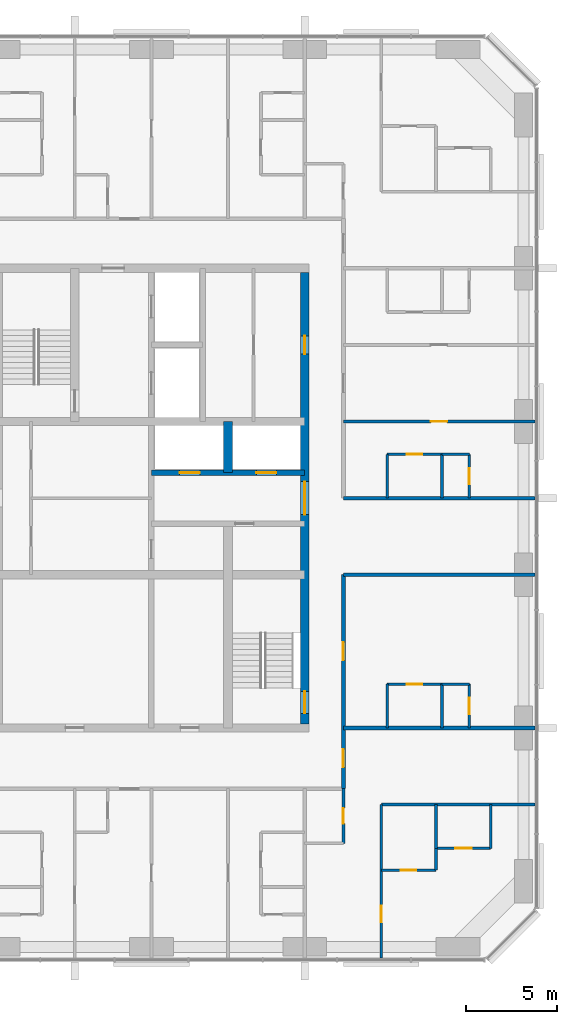
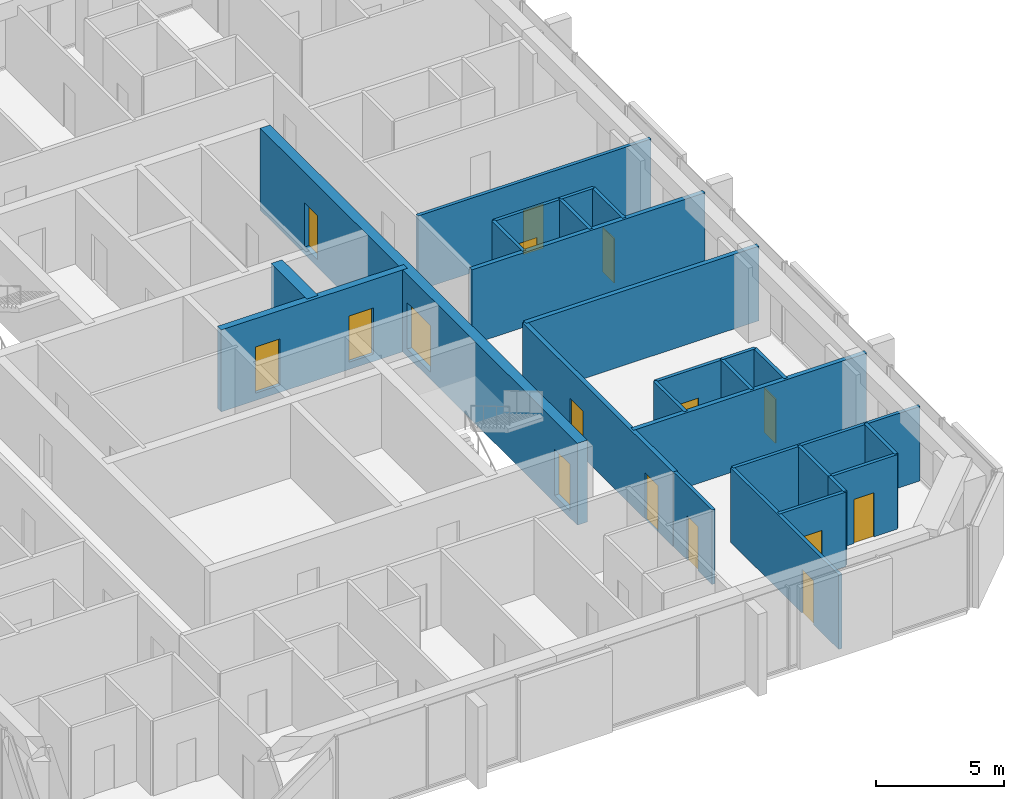
# One storey, part 9 of 13: 26 walls, 16 doors, 16 openings.
"""IFC4 building model written with IfcOpenShell, lengths in metres."""

from ifc_helpers import new_model, si_unit, direction, frame, frame_2d, origin, place, context, subcontext, project, spatial, rectangle, extrude, material, layer, layer_set, type_object, element, fill, save


model = new_model("IFC4")

# Units and contexts
model_context = context("Model", 3, precision=1e-05, world=origin(), true_north=direction((0.0, 1.0)))
body_context = subcontext(model_context, "Body", "Model", "MODEL_VIEW")
ifc_project = project(units=[si_unit("LENGTHUNIT", "METRE"), si_unit("AREAUNIT", "SQUARE_METRE"), si_unit("VOLUMEUNIT", "CUBIC_METRE"), si_unit("PLANEANGLEUNIT", "RADIAN"), si_unit("MASSUNIT", "GRAM", prefix="KILO")], contexts=[model_context])

# Site, building, storey
site_placement = place(None, origin())
site = spatial("IfcSite", under=ifc_project, at=site_placement, CompositionType="ELEMENT")
building_placement = place(site_placement, origin())
building = spatial("IfcBuilding", under=site, at=building_placement, Name="Dunama Terrace Hotel", CompositionType="ELEMENT")
storey_placement = place(building_placement, frame((0.0, 0.0, 276.300048828125)))
storey = spatial("IfcBuildingStorey", under=building, at=storey_placement, Name="L71", CompositionType="ELEMENT", Elevation=276.300048828125)

# Wall, opening, door
ifc_material_1 = material(Name="Gypsum board partition", Category="masonry")
ifc_layer_1 = layer(ifc_material_1, 0.14990234375)
ifc_layer_set_1 = layer_set([ifc_layer_1], Name="Bathroom partition 150")
wall_type_1 = type_object("IfcWallType", Name="Bathroom partition 150", PredefinedType="PARTITIONING", material=ifc_layer_set_1)
wall_1_placement = place(storey_placement, frame((44.125, 10.47509765625, 0.0), z_axis=(0.0, 0.0, 1.0), x_axis=(0.0, 1.0, 0.0)))
wall_1 = element("IfcWall", 1, at=wall_1_placement, inside=storey, type_object=wall_type_1, Name="Bathroom partition 150 L71", PredefinedType="PARTITIONING", context=body_context, shape_type="SweptSolid", body=[
    extrude(rectangle(XDim=3.0, YDim=0.14990234375, at=frame_2d((1.5, 0.0))), origin(), (0.0, 0.0, 1.0), 3.550048828125),
])
opening_1_placement = place(wall_1_placement, frame((1.074951171875, 0.0, 0.0)))
opening_1 = element("IfcOpeningElement", 2, at=opening_1_placement, cuts=wall_1, Name="Opening L71-72-053", PredefinedType="OPENING", context=body_context, shape_type="SweptSolid", body=[
    extrude(rectangle(XDim=0.85009765625, YDim=2.10009765625, at=frame_2d((0.425048828125, 1.050048828125))), frame((0.0, 0.0849609375, 0.0), z_axis=(0.0, -1.0, 0.0), x_axis=(1.0, 0.0, 0.0)), (0.0, 0.0, 1.0), 0.169921875),
])
ifc_material_2 = material(Name="Timber door with steel frame", Category="steel")
door_type_1 = type_object("IfcDoorType", Name="Bathroom door 850", OperationType="SINGLE_SWING_LEFT", PredefinedType="DOOR", material=ifc_material_2)
door_1_placement = place(opening_1_placement, origin())
door_1 = element("IfcDoor", 3, at=door_1_placement, inside=storey, type_object=door_type_1, Name="Door to powder room L71-72-053, type D2", OperationType="SINGLE_SWING_RIGHT", OverallHeight=2.10009765625, OverallWidth=0.85009765625, PredefinedType="DOOR", context=body_context, shape_type="SweptSolid", body=[
    extrude(rectangle(XDim=0.85009765625, YDim=2.10009765625, at=frame_2d((0.425048828125, 1.050048828125))), frame((0.0, 0.02490234375, 0.0), z_axis=(0.0, -1.0, 0.0), x_axis=(1.0, 0.0, 0.0)), (0.0, 0.0, 1.0), 0.050048828125),
])
fill(opening_1, door_1)

# Walls
wall_2_placement = place(storey_placement, frame((46.52490234375, 16.800048828125, 0.0), z_axis=(0.0, 0.0, 1.0), x_axis=(0.0, 1.0, 0.0)))
element("IfcWall", 4, at=wall_2_placement, inside=storey, type_object=wall_type_1, Name="Bathroom partition 150 L71", PredefinedType="PARTITIONING", context=body_context, shape_type="SweptSolid", body=[
    extrude(rectangle(XDim=2.39990234375, YDim=0.14990234375, at=frame_2d((1.199951171875, 0.0))), origin(), (0.0, 0.0, 1.0), 3.550048828125),
])
wall_3_placement = place(storey_placement, frame((46.52490234375, 29.39990234375, 0.0), z_axis=(0.0, 0.0, 1.0), x_axis=(0.0, 1.0, 0.0)))
element("IfcWall", 5, at=wall_3_placement, inside=storey, type_object=wall_type_1, Name="Bathroom partition 150 L71", PredefinedType="PARTITIONING", context=body_context, shape_type="SweptSolid", body=[
    extrude(rectangle(XDim=2.400146484375, YDim=0.14990234375, at=frame_2d((1.2001953125, 0.0))), origin(), (0.0, 0.0, 1.0), 3.550048828125),
])
wall_4_placement = place(storey_placement, frame((49.199951171875, 9.0, 0.0), z_axis=(0.0, 0.0, 1.0), x_axis=(0.0, 1.0, 0.0)))
element("IfcWall", 6, at=wall_4_placement, inside=storey, type_object=wall_type_1, Name="Bathroom partition 150 L71", PredefinedType="PARTITIONING", context=body_context, shape_type="SweptSolid", body=[
    extrude(rectangle(XDim=1.199951171875, YDim=0.14990234375, at=frame_2d((0.60009765625, 0.0))), origin(), (0.0, 0.0, 1.0), 3.550048828125),
])

# Wall, opening, door
wall_5_placement = place(storey_placement, frame((46.199951171875, 9.0, 0.0), z_axis=(0.0, 0.0, 1.0), x_axis=(1.0, 0.0, 0.0)))
wall_5 = element("IfcWall", 7, at=wall_5_placement, inside=storey, type_object=wall_type_1, Name="Bathroom partition 150 L71", PredefinedType="PARTITIONING", context=body_context, shape_type="SweptSolid", body=[
    extrude(rectangle(XDim=3.0, YDim=0.14990234375, at=frame_2d((1.5, 0.0))), origin(), (0.0, 0.0, 1.0), 3.550048828125),
])
opening_2_placement = place(wall_5_placement, frame((1.074951171875, 0.0, 0.0)))
opening_2 = element("IfcOpeningElement", 8, at=opening_2_placement, cuts=wall_5, Name="Opening L71-72-055", PredefinedType="OPENING", context=body_context, shape_type="SweptSolid", body=[
    extrude(rectangle(XDim=0.85009765625, YDim=2.10009765625, at=frame_2d((0.425048828125, 1.050048828125))), frame((0.0, 0.0849609375, 0.0), z_axis=(0.0, -1.0, 0.0), x_axis=(1.0, 0.0, 0.0)), (0.0, 0.0, 1.0), 0.169921875),
])
door_2_placement = place(opening_2_placement, origin())
door_2 = element("IfcDoor", 9, at=door_2_placement, inside=storey, type_object=door_type_1, Name="Door to en-suite bathroom L71-72-055, type D2", OperationType="SINGLE_SWING_RIGHT", OverallHeight=2.10009765625, OverallWidth=0.85009765625, PredefinedType="DOOR", context=body_context, shape_type="SweptSolid", body=[
    extrude(rectangle(XDim=0.85009765625, YDim=2.10009765625, at=frame_2d((0.425048828125, 1.050048828125))), frame((0.0, 0.02490234375, 0.0), z_axis=(0.0, -1.0, 0.0), x_axis=(1.0, 0.0, 0.0)), (0.0, 0.0, 1.0), 0.050048828125),
])
fill(opening_2, door_2)

wall_6_placement = place(storey_placement, frame((46.52490234375, 19.199951171875, 0.0), z_axis=(0.0, 0.0, 1.0), x_axis=(1.0, 0.0, 0.0)))
wall_6 = element("IfcWall", 10, at=wall_6_placement, inside=storey, type_object=wall_type_1, Name="Bathroom partition 150 L71", PredefinedType="PARTITIONING", context=body_context, shape_type="SweptSolid", body=[
    extrude(rectangle(XDim=3.0, YDim=0.14990234375, at=frame_2d((1.5, 0.0))), origin(), (0.0, 0.0, 1.0), 3.550048828125),
])
opening_3_placement = place(wall_6_placement, frame((1.074951171875, 0.0, 0.0)))
opening_3 = element("IfcOpeningElement", 11, at=opening_3_placement, cuts=wall_6, Name="Opening L71-72-017", PredefinedType="OPENING", context=body_context, shape_type="SweptSolid", body=[
    extrude(rectangle(XDim=0.85009765625, YDim=2.10009765625, at=frame_2d((0.425048828125, 1.050048828125))), frame((0.0, 0.0849609375, 0.0), z_axis=(0.0, -1.0, 0.0), x_axis=(1.0, 0.0, 0.0)), (0.0, 0.0, 1.0), 0.169921875),
])
door_3_placement = place(opening_3_placement, frame((0.85009765625, 0.0, 0.0), z_axis=(0.0, 0.0, 1.0), x_axis=(-1.0, 0.0, 0.0)))
door_3 = element("IfcDoor", 12, at=door_3_placement, inside=storey, type_object=door_type_1, Name="Door to en-suite bathroom L71-72-017, type D2", OperationType="SINGLE_SWING_LEFT", OverallHeight=2.10009765625, OverallWidth=0.85009765625, PredefinedType="DOOR", context=body_context, shape_type="SweptSolid", body=[
    extrude(rectangle(XDim=0.85009765625, YDim=2.10009765625, at=frame_2d((0.425048828125, 1.050048828125))), frame((0.0, 0.025146484375, 0.0), z_axis=(0.0, -1.0, 0.0), x_axis=(1.0, 0.0, 0.0)), (0.0, 0.0, 1.0), 0.050048828125),
])
fill(opening_3, door_3)

wall_7_placement = place(storey_placement, frame((46.52490234375, 31.800048828125, 0.0), z_axis=(0.0, 0.0, 1.0), x_axis=(1.0, 0.0, 0.0)))
wall_7 = element("IfcWall", 13, at=wall_7_placement, inside=storey, type_object=wall_type_1, Name="Bathroom partition 150 L71", PredefinedType="PARTITIONING", context=body_context, shape_type="SweptSolid", body=[
    extrude(rectangle(XDim=3.0, YDim=0.14990234375, at=frame_2d((1.5, 0.0))), origin(), (0.0, 0.0, 1.0), 3.550048828125),
])
opening_4_placement = place(wall_7_placement, frame((1.074951171875, 0.0, 0.0)))
opening_4 = element("IfcOpeningElement", 14, at=opening_4_placement, cuts=wall_7, Name="Opening L71-72-021", PredefinedType="OPENING", context=body_context, shape_type="SweptSolid", body=[
    extrude(rectangle(XDim=0.85009765625, YDim=2.10009765625, at=frame_2d((0.425048828125, 1.050048828125))), frame((0.0, 0.0849609375, 0.0), z_axis=(0.0, -1.0, 0.0), x_axis=(1.0, 0.0, 0.0)), (0.0, 0.0, 1.0), 0.169921875),
])
door_4_placement = place(opening_4_placement, frame((0.85009765625, 0.0, 0.0), z_axis=(0.0, 0.0, 1.0), x_axis=(-1.0, 0.0, 0.0)))
door_4 = element("IfcDoor", 15, at=door_4_placement, inside=storey, type_object=door_type_1, Name="Door to en-suite bathroom L71-72-021, type D2", OperationType="SINGLE_SWING_LEFT", OverallHeight=2.10009765625, OverallWidth=0.85009765625, PredefinedType="DOOR", context=body_context, shape_type="SweptSolid", body=[
    extrude(rectangle(XDim=0.85009765625, YDim=2.10009765625, at=frame_2d((0.425048828125, 1.050048828125))), frame((0.0, 0.025146484375, 0.0), z_axis=(0.0, -1.0, 0.0), x_axis=(1.0, 0.0, 0.0)), (0.0, 0.0, 1.0), 0.050048828125),
])
fill(opening_4, door_4)

# Wall, openings, doors
ifc_material_3 = material(Name="Concrete C50/60", Category="concrete")
ifc_layer_2 = layer(ifc_material_3, 0.300048828125)
ifc_layer_set_2 = layer_set([ifc_layer_2], Name="Core inner wall 300")
wall_type_2 = type_object("IfcWallType", Name="Core inner wall 300", PredefinedType="SHEAR", material=ifc_layer_set_2)
wall_8_placement = place(storey_placement, frame((33.60009765625, 30.800048828125, -0.35009765625), z_axis=(0.0, 0.0, 1.0), x_axis=(1.0, 0.0, 0.0)))
wall_8 = element("IfcWall", 16, at=wall_8_placement, inside=storey, type_object=wall_type_2, Name="Core inner wall 300 L71", PredefinedType="SHEAR", context=body_context, shape_type="SweptSolid", body=[
    extrude(rectangle(XDim=8.39990234375, YDim=0.300048828125, at=frame_2d((4.199951171875, 0.0))), origin(), (0.0, 0.0, 1.0), 3.900146484375),
])
opening_5_placement = place(wall_8_placement, frame((1.550048828125, 0.0, 0.35009765625)))
opening_5 = element("IfcOpeningElement", 17, at=opening_5_placement, cuts=wall_8, Name="Opening L71-72-003", PredefinedType="OPENING", context=body_context, shape_type="SweptSolid", body=[
    extrude(rectangle(XDim=1.10009765625, YDim=2.199951171875, at=frame_2d((0.550048828125, 1.10009765625))), frame((0.0, 0.159912109375, 0.0), z_axis=(0.0, -1.0, 0.0), x_axis=(1.0, 0.0, 0.0)), (0.0, 0.0, 1.0), 0.320068359375),
])
opening_6_placement = place(wall_8_placement, frame((5.75, 0.0, 0.35009765625)))
opening_6 = element("IfcOpeningElement", 18, at=opening_6_placement, cuts=wall_8, Name="Opening L71-72-004", PredefinedType="OPENING", context=body_context, shape_type="SweptSolid", body=[
    extrude(rectangle(XDim=1.10009765625, YDim=2.199951171875, at=frame_2d((0.550048828125, 1.10009765625))), frame((0.0, 0.159912109375, 0.0), z_axis=(0.0, -1.0, 0.0), x_axis=(1.0, 0.0, 0.0)), (0.0, 0.0, 1.0), 0.320068359375),
])
ifc_material_4 = material(Name="Stainless steel lift door", Category="steel")
door_type_2 = type_object("IfcDoorType", Name="Lift landing door 1100", OperationType="DOUBLE_DOOR_SLIDING", PredefinedType="DOOR", material=ifc_material_4)
door_5_placement = place(opening_5_placement, origin())
door_5 = element("IfcDoor", 19, at=door_5_placement, inside=storey, type_object=door_type_2, Name="Landing door PD1 L71-72-003, type LD1", OperationType="DOUBLE_DOOR_SLIDING", OverallHeight=2.199951171875, OverallWidth=1.10009765625, PredefinedType="DOOR", context=body_context, shape_type="SweptSolid", body=[
    extrude(rectangle(XDim=1.10009765625, YDim=2.199951171875, at=frame_2d((0.550048828125, 1.10009765625))), frame((0.0, 0.02490234375, 0.0), z_axis=(0.0, -1.0, 0.0), x_axis=(1.0, 0.0, 0.0)), (0.0, 0.0, 1.0), 0.050048828125),
])
fill(opening_5, door_5)
door_6_placement = place(opening_6_placement, origin())
door_6 = element("IfcDoor", 20, at=door_6_placement, inside=storey, type_object=door_type_2, Name="Landing door PD2 L71-72-004, type LD1", OperationType="DOUBLE_DOOR_SLIDING", OverallHeight=2.199951171875, OverallWidth=1.10009765625, PredefinedType="DOOR", context=body_context, shape_type="SweptSolid", body=[
    extrude(rectangle(XDim=1.10009765625, YDim=2.199951171875, at=frame_2d((0.550048828125, 1.10009765625))), frame((0.0, 0.02490234375, 0.0), z_axis=(0.0, -1.0, 0.0), x_axis=(1.0, 0.0, 0.0)), (0.0, 0.0, 1.0), 0.050048828125),
])
fill(opening_6, door_6)

# Wall
ifc_material_5 = material(Name="Concrete C50/60", Category="concrete")
ifc_layer_3 = layer(ifc_material_5, 0.5)
ifc_layer_set_3 = layer_set([ifc_layer_3], Name="Core inner wall 500")
wall_type_3 = type_object("IfcWallType", Name="Core inner wall 500", PredefinedType="SHEAR", material=ifc_layer_set_3)
wall_9_placement = place(storey_placement, frame((37.800048828125, 30.800048828125, -0.35009765625), z_axis=(0.0, 0.0, 1.0), x_axis=(0.0, 1.0, 0.0)))
element("IfcWall", 21, at=wall_9_placement, inside=storey, type_object=wall_type_3, Name="Core inner wall 500 L71", PredefinedType="SHEAR", context=body_context, shape_type="SweptSolid", body=[
    extrude(rectangle(XDim=2.800048828125, YDim=0.5, at=frame_2d((1.39990234375, 0.0))), origin(), (0.0, 0.0, 1.0), 3.900146484375),
])

# Wall, openings, doors
ifc_material_6 = material(Name="Concrete C50/60", Category="concrete")
ifc_layer_4 = layer(ifc_material_6, 0.449951171875)
ifc_layer_set_4 = layer_set([ifc_layer_4], Name="Core wall 450")
wall_type_4 = type_object("IfcWallType", Name="Core wall 450", PredefinedType="SHEAR", material=ifc_layer_set_4)
wall_10_placement = place(storey_placement, frame((42.0, 17.02490234375, -0.35009765625), z_axis=(0.0, 0.0, 1.0), x_axis=(0.0, 1.0, 0.0)))
wall_10 = element("IfcWall", 22, at=wall_10_placement, inside=storey, type_object=wall_type_4, Name="Core wall east L71", PredefinedType="SHEAR", context=body_context, shape_type="SweptSolid", body=[
    extrude(rectangle(XDim=24.75, YDim=0.449951171875, at=frame_2d((12.375, 0.0))), origin(), (0.0, 0.0, 1.0), 3.900146484375),
])
opening_7_placement = place(wall_10_placement, frame((0.574951171875, 0.0, 0.35009765625)))
opening_7 = element("IfcOpeningElement", 23, at=opening_7_placement, cuts=wall_10, Name="Opening L71-72-002", PredefinedType="OPENING", context=body_context, shape_type="SweptSolid", body=[
    extrude(rectangle(XDim=1.199951171875, YDim=2.199951171875, at=frame_2d((0.60009765625, 1.10009765625))), frame((0.0, 0.23486328125, 0.0), z_axis=(0.0, -1.0, 0.0), x_axis=(1.0, 0.0, 0.0)), (0.0, 0.0, 1.0), 0.469970703125),
])
opening_8_placement = place(wall_10_placement, frame((11.47509765625, 0.0, 0.35009765625)))
opening_8 = element("IfcOpeningElement", 24, at=opening_8_placement, cuts=wall_10, Name="Opening L71-72-072", PredefinedType="OPENING", context=body_context, shape_type="SweptSolid", body=[
    extrude(rectangle(XDim=1.800048828125, YDim=2.199951171875, at=frame_2d((0.89990234375, 1.10009765625))), frame((0.0, 0.23486328125, 0.0), z_axis=(0.0, -1.0, 0.0), x_axis=(1.0, 0.0, 0.0)), (0.0, 0.0, 1.0), 0.469970703125),
])
opening_9_placement = place(wall_10_placement, frame((20.27490234375, 0.0, 0.35009765625)))
opening_9 = element("IfcOpeningElement", 25, at=opening_9_placement, cuts=wall_10, Name="Opening L71-72-074", PredefinedType="OPENING", context=body_context, shape_type="SweptSolid", body=[
    extrude(rectangle(XDim=1.0, YDim=2.10009765625, at=frame_2d((0.5, 1.050048828125))), frame((0.0, 0.23486328125, 0.0), z_axis=(0.0, -1.0, 0.0), x_axis=(1.0, 0.0, 0.0)), (0.0, 0.0, 1.0), 0.469970703125),
])
ifc_material_7 = material(Name="Timber door with steel frame", Category="steel")
door_type_3 = type_object("IfcDoorType", Name="Lift lobby double door 1800", OperationType="DOUBLE_DOOR_DOUBLE_SWING", PredefinedType="DOOR", material=ifc_material_7)
door_7_placement = place(opening_8_placement, origin())
door_7 = element("IfcDoor", 26, at=door_7_placement, inside=storey, type_object=door_type_3, Name="Door to lift lobby L71-72-072, type D3", OperationType="DOUBLE_DOOR_DOUBLE_SWING", OverallHeight=2.199951171875, OverallWidth=1.800048828125, PredefinedType="DOOR", context=body_context, shape_type="SweptSolid", body=[
    extrude(rectangle(XDim=1.800048828125, YDim=2.199951171875, at=frame_2d((0.89990234375, 1.10009765625))), frame((0.0, 0.02490234375, 0.0), z_axis=(0.0, -1.0, 0.0), x_axis=(1.0, 0.0, 0.0)), (0.0, 0.0, 1.0), 0.050048828125),
])
fill(opening_8, door_7)
ifc_material_8 = material(Name="Timber door with steel frame", Category="steel")
door_type_4 = type_object("IfcDoorType", Name="Service door 1000", OperationType="SINGLE_SWING_LEFT", PredefinedType="DOOR", material=ifc_material_8)
door_8_placement = place(opening_9_placement, origin())
door_8 = element("IfcDoor", 27, at=door_8_placement, inside=storey, type_object=door_type_4, Name="Door to guest pantry L71-72-074, type D7", OperationType="SINGLE_SWING_LEFT", OverallHeight=2.10009765625, OverallWidth=1.0, PredefinedType="DOOR", context=body_context, shape_type="SweptSolid", body=[
    extrude(rectangle(XDim=1.0, YDim=2.10009765625, at=frame_2d((0.5, 1.050048828125))), frame((0.0, 0.02490234375, 0.0), z_axis=(0.0, -1.0, 0.0), x_axis=(1.0, 0.0, 0.0)), (0.0, 0.0, 1.0), 0.050048828125),
])
fill(opening_9, door_8)
ifc_material_9 = material(Name="Timber door with steel frame", Category="steel")
door_type_5 = type_object("IfcDoorType", Name="Stair door 1200", OperationType="SINGLE_SWING_LEFT", PredefinedType="DOOR", material=ifc_material_9)
door_9_placement = place(opening_7_placement, origin())
door_9 = element("IfcDoor", 28, at=door_9_placement, inside=storey, type_object=door_type_5, Name="Stair door ST2 L71-72-002, type D5", OperationType="SINGLE_SWING_LEFT", OverallHeight=2.199951171875, OverallWidth=1.199951171875, PredefinedType="DOOR", context=body_context, shape_type="SweptSolid", body=[
    extrude(rectangle(XDim=1.199951171875, YDim=2.199951171875, at=frame_2d((0.60009765625, 1.10009765625))), frame((0.0, 0.02490234375, 0.0), z_axis=(0.0, -1.0, 0.0), x_axis=(1.0, 0.0, 0.0)), (0.0, 0.0, 1.0), 0.050048828125),
])
fill(opening_7, door_9)

# Wall
ifc_material_10 = material(Name="Concrete blockwork", Category="masonry")
ifc_layer_5 = layer(ifc_material_10, 0.199951171875)
ifc_layer_set_5 = layer_set([ifc_layer_5], Name="Corridor partition 200")
wall_type_5 = type_object("IfcWallType", Name="Corridor partition 200", PredefinedType="PARTITIONING", material=ifc_layer_set_5)
wall_11_placement = place(storey_placement, frame((44.125, 29.39990234375, 0.0), z_axis=(0.0, 0.0, 1.0), x_axis=(1.0, 0.0, 0.0)))
element("IfcWall", 29, at=wall_11_placement, inside=storey, type_object=wall_type_5, Name="Corridor partition 200 L71", PredefinedType="PARTITIONING", context=body_context, shape_type="SweptSolid", body=[
    extrude(rectangle(XDim=10.492919921875, YDim=0.199951171875, at=frame_2d((5.24658203125, 0.0))), origin(), (0.0, 0.0, 1.0), 3.550048828125),
])

# Wall, openings, doors
wall_12_placement = place(storey_placement, frame((44.125, 25.199951171875, 0.0), z_axis=(0.0, 0.0, 1.0), x_axis=(0.0, -1.0, 0.0)))
wall_12 = element("IfcWall", 30, at=wall_12_placement, inside=storey, type_object=wall_type_5, Name="Corridor partition 200 L71", PredefinedType="PARTITIONING", context=body_context, shape_type="SweptSolid", body=[
    extrude(rectangle(XDim=11.724853515625, YDim=0.199951171875, at=frame_2d((5.8623046875, 0.0))), origin(), (0.0, 0.0, 1.0), 3.550048828125),
])
opening_10_placement = place(wall_12_placement, frame((3.699951171875, 0.0, 0.0)))
opening_10 = element("IfcOpeningElement", 31, at=opening_10_placement, cuts=wall_12, Name="Opening L71-72-016", PredefinedType="OPENING", context=body_context, shape_type="SweptSolid", body=[
    extrude(rectangle(XDim=1.0, YDim=2.199951171875, at=frame_2d((0.5, 1.10009765625))), frame((0.0, 0.10986328125, 0.0), z_axis=(0.0, -1.0, 0.0), x_axis=(1.0, 0.0, 0.0)), (0.0, 0.0, 1.0), 0.219970703125),
])
opening_11_placement = place(wall_12_placement, frame((9.56298828125, 0.0, 0.0)))
opening_11 = element("IfcOpeningElement", 32, at=opening_11_placement, cuts=wall_12, Name="Opening L71-72-052", PredefinedType="OPENING", context=body_context, shape_type="SweptSolid", body=[
    extrude(rectangle(XDim=1.0, YDim=2.199951171875, at=frame_2d((0.5, 1.10009765625))), frame((0.0, 0.10986328125, 0.0), z_axis=(0.0, -1.0, 0.0), x_axis=(1.0, 0.0, 0.0)), (0.0, 0.0, 1.0), 0.219970703125),
])
ifc_material_11 = material(Name="Timber door with steel frame", Category="steel")
door_type_6 = type_object("IfcDoorType", Name="Guest room door 1000", OperationType="SINGLE_SWING_LEFT", PredefinedType="DOOR", material=ifc_material_11)
door_10_placement = place(opening_10_placement, origin())
door_10 = element("IfcDoor", 33, at=door_10_placement, inside=storey, type_object=door_type_6, Name="Door to junior suite L71-72-016, type D1", OperationType="SINGLE_SWING_RIGHT", OverallHeight=2.199951171875, OverallWidth=1.0, PredefinedType="DOOR", context=body_context, shape_type="SweptSolid", body=[
    extrude(rectangle(XDim=1.0, YDim=2.199951171875, at=frame_2d((0.5, 1.10009765625))), frame((0.0, 0.02490234375, 0.0), z_axis=(0.0, -1.0, 0.0), x_axis=(1.0, 0.0, 0.0)), (0.0, 0.0, 1.0), 0.050048828125),
])
fill(opening_10, door_10)
door_11_placement = place(opening_11_placement, origin())
door_11 = element("IfcDoor", 34, at=door_11_placement, inside=storey, type_object=door_type_6, Name="Door to grand corner suite living room L71-72-052, type D1", OperationType="SINGLE_SWING_RIGHT", OverallHeight=2.199951171875, OverallWidth=1.0, PredefinedType="DOOR", context=body_context, shape_type="SweptSolid", body=[
    extrude(rectangle(XDim=1.0, YDim=2.199951171875, at=frame_2d((0.5, 1.10009765625))), frame((0.0, 0.02490234375, 0.0), z_axis=(0.0, -1.0, 0.0), x_axis=(1.0, 0.0, 0.0)), (0.0, 0.0, 1.0), 0.050048828125),
])
fill(opening_11, door_11)

# Walls
wall_13_placement = place(storey_placement, frame((54.617919921875, 25.199951171875, 0.0), z_axis=(0.0, 0.0, 1.0), x_axis=(-1.0, 0.0, 0.0)))
element("IfcWall", 35, at=wall_13_placement, inside=storey, type_object=wall_type_5, Name="Corridor partition 200 L71", PredefinedType="PARTITIONING", context=body_context, shape_type="SweptSolid", body=[
    extrude(rectangle(XDim=10.492919921875, YDim=0.199951171875, at=frame_2d((5.24658203125, 0.0))), origin(), (0.0, 0.0, 1.0), 3.550048828125),
])
ifc_material_12 = material(Name="Concrete blockwork", Category="masonry")
ifc_layer_6 = layer(ifc_material_12, 0.199951171875)
ifc_layer_set_6 = layer_set([ifc_layer_6], Name="Party wall 200")
wall_type_6 = type_object("IfcWallType", Name="Party wall 200", PredefinedType="PARTITIONING", material=ifc_layer_set_6)
wall_14_placement = place(storey_placement, frame((44.125, 16.800048828125, 0.0), z_axis=(0.0, 0.0, 1.0), x_axis=(1.0, 0.0, 0.0)))
element("IfcWall", 36, at=wall_14_placement, inside=storey, type_object=wall_type_6, Name="Party wall 200 L71", PredefinedType="PARTITIONING", context=body_context, shape_type="SweptSolid", body=[
    extrude(rectangle(XDim=10.492919921875, YDim=0.199951171875, at=frame_2d((5.24658203125, 0.0))), origin(), (0.0, 0.0, 1.0), 3.550048828125),
])

# Wall, opening, door
ifc_material_13 = material(Name="Gypsum board partition", Category="masonry")
ifc_layer_7 = layer(ifc_material_13, 0.14990234375)
ifc_layer_set_7 = layer_set([ifc_layer_7], Name="Room partition 150")
wall_type_7 = type_object("IfcWallType", Name="Room partition 150", PredefinedType="PARTITIONING", material=ifc_layer_set_7)
wall_15_placement = place(storey_placement, frame((46.199951171875, 4.181884765625, 0.0), z_axis=(0.0, 0.0, 1.0), x_axis=(0.0, 1.0, 0.0)))
wall_15 = element("IfcWall", 37, at=wall_15_placement, inside=storey, type_object=wall_type_7, Name="Room partition 150 L71", PredefinedType="PARTITIONING", context=body_context, shape_type="SweptSolid", body=[
    extrude(rectangle(XDim=8.418212890625, YDim=0.14990234375, at=frame_2d((4.208984375, 0.0))), origin(), (0.0, 0.0, 1.0), 3.550048828125),
])
opening_12_placement = place(wall_15_placement, frame((1.968017578125, 0.0, 0.0)))
opening_12 = element("IfcOpeningElement", 38, at=opening_12_placement, cuts=wall_15, Name="Opening L71-72-054", PredefinedType="OPENING", context=body_context, shape_type="SweptSolid", body=[
    extrude(rectangle(XDim=0.89990234375, YDim=2.10009765625, at=frame_2d((0.449951171875, 1.050048828125))), frame((0.0, 0.0849609375, 0.0), z_axis=(0.0, -1.0, 0.0), x_axis=(1.0, 0.0, 0.0)), (0.0, 0.0, 1.0), 0.169921875),
])
ifc_material_14 = material(Name="Timber door with steel frame", Category="steel")
door_type_7 = type_object("IfcDoorType", Name="Suite internal door 900", OperationType="SINGLE_SWING_LEFT", PredefinedType="DOOR", material=ifc_material_14)
door_12_placement = place(opening_12_placement, frame((0.89990234375, 0.0, 0.0), z_axis=(0.0, 0.0, 1.0), x_axis=(-1.0, 0.0, 0.0)))
door_12 = element("IfcDoor", 39, at=door_12_placement, inside=storey, type_object=door_type_7, Name="Door to grand corner suite bedroom L71-72-054, type D16", OperationType="SINGLE_SWING_LEFT", OverallHeight=2.10009765625, OverallWidth=0.89990234375, PredefinedType="DOOR", context=body_context, shape_type="SweptSolid", body=[
    extrude(rectangle(XDim=0.89990234375, YDim=2.10009765625, at=frame_2d((0.449951171875, 1.050048828125))), frame((0.0, 0.025146484375, 0.0), z_axis=(0.0, -1.0, 0.0), x_axis=(1.0, 0.0, 0.0)), (0.0, 0.0, 1.0), 0.050048828125),
])
fill(opening_12, door_12)

# Walls
wall_16_placement = place(storey_placement, frame((49.199951171875, 10.199951171875, 0.0), z_axis=(0.0, 0.0, 1.0), x_axis=(0.0, 1.0, 0.0)))
element("IfcWall", 40, at=wall_16_placement, inside=storey, type_object=wall_type_7, Name="Room partition 150 L71", PredefinedType="PARTITIONING", context=body_context, shape_type="SweptSolid", body=[
    extrude(rectangle(XDim=2.400146484375, YDim=0.14990234375, at=frame_2d((1.2001953125, 0.0))), origin(), (0.0, 0.0, 1.0), 3.550048828125),
])
wall_17_placement = place(storey_placement, frame((49.52490234375, 16.800048828125, 0.0), z_axis=(0.0, 0.0, 1.0), x_axis=(0.0, 1.0, 0.0)))
element("IfcWall", 41, at=wall_17_placement, inside=storey, type_object=wall_type_7, Name="Room partition 150 L71", PredefinedType="PARTITIONING", context=body_context, shape_type="SweptSolid", body=[
    extrude(rectangle(XDim=2.39990234375, YDim=0.14990234375, at=frame_2d((1.199951171875, 0.0))), origin(), (0.0, 0.0, 1.0), 3.550048828125),
])
wall_18_placement = place(storey_placement, frame((49.52490234375, 29.39990234375, 0.0), z_axis=(0.0, 0.0, 1.0), x_axis=(0.0, 1.0, 0.0)))
element("IfcWall", 42, at=wall_18_placement, inside=storey, type_object=wall_type_7, Name="Room partition 150 L71", PredefinedType="PARTITIONING", context=body_context, shape_type="SweptSolid", body=[
    extrude(rectangle(XDim=2.400146484375, YDim=0.14990234375, at=frame_2d((1.2001953125, 0.0))), origin(), (0.0, 0.0, 1.0), 3.550048828125),
])

# Wall, opening, door
wall_19_placement = place(storey_placement, frame((51.02490234375, 16.800048828125, 0.0), z_axis=(0.0, 0.0, 1.0), x_axis=(0.0, 1.0, 0.0)))
wall_19 = element("IfcWall", 43, at=wall_19_placement, inside=storey, type_object=wall_type_7, Name="Room partition 150 L71", PredefinedType="PARTITIONING", context=body_context, shape_type="SweptSolid", body=[
    extrude(rectangle(XDim=2.39990234375, YDim=0.14990234375, at=frame_2d((1.199951171875, 0.0))), origin(), (0.0, 0.0, 1.0), 3.550048828125),
])
opening_13_placement = place(wall_19_placement, frame((0.75, 0.0, 0.0)))
opening_13 = element("IfcOpeningElement", 44, at=opening_13_placement, cuts=wall_19, Name="Opening L71-72-018", PredefinedType="OPENING", context=body_context, shape_type="SweptSolid", body=[
    extrude(rectangle(XDim=0.89990234375, YDim=2.10009765625, at=frame_2d((0.449951171875, 1.050048828125))), frame((0.0, 0.0849609375, 0.0), z_axis=(0.0, -1.0, 0.0), x_axis=(1.0, 0.0, 0.0)), (0.0, 0.0, 1.0), 0.169921875),
])
door_13_placement = place(opening_13_placement, origin())
door_13 = element("IfcDoor", 45, at=door_13_placement, inside=storey, type_object=door_type_7, Name="Door to walk-in wardrobe L71-72-018, type D16", OperationType="SINGLE_SWING_LEFT", OverallHeight=2.10009765625, OverallWidth=0.89990234375, PredefinedType="DOOR", context=body_context, shape_type="SweptSolid", body=[
    extrude(rectangle(XDim=0.89990234375, YDim=2.10009765625, at=frame_2d((0.449951171875, 1.050048828125))), frame((0.0, 0.02490234375, 0.0), z_axis=(0.0, -1.0, 0.0), x_axis=(1.0, 0.0, 0.0)), (0.0, 0.0, 1.0), 0.050048828125),
])
fill(opening_13, door_13)

wall_20_placement = place(storey_placement, frame((51.02490234375, 29.39990234375, 0.0), z_axis=(0.0, 0.0, 1.0), x_axis=(0.0, 1.0, 0.0)))
wall_20 = element("IfcWall", 46, at=wall_20_placement, inside=storey, type_object=wall_type_7, Name="Room partition 150 L71", PredefinedType="PARTITIONING", context=body_context, shape_type="SweptSolid", body=[
    extrude(rectangle(XDim=2.400146484375, YDim=0.14990234375, at=frame_2d((1.2001953125, 0.0))), origin(), (0.0, 0.0, 1.0), 3.550048828125),
])
opening_14_placement = place(wall_20_placement, frame((0.75, 0.0, 0.0)))
opening_14 = element("IfcOpeningElement", 47, at=opening_14_placement, cuts=wall_20, Name="Opening L71-72-022", PredefinedType="OPENING", context=body_context, shape_type="SweptSolid", body=[
    extrude(rectangle(XDim=0.89990234375, YDim=2.10009765625, at=frame_2d((0.449951171875, 1.050048828125))), frame((0.0, 0.0849609375, 0.0), z_axis=(0.0, -1.0, 0.0), x_axis=(1.0, 0.0, 0.0)), (0.0, 0.0, 1.0), 0.169921875),
])
door_14_placement = place(opening_14_placement, origin())
door_14 = element("IfcDoor", 48, at=door_14_placement, inside=storey, type_object=door_type_7, Name="Door to walk-in wardrobe L71-72-022, type D16", OperationType="SINGLE_SWING_LEFT", OverallHeight=2.10009765625, OverallWidth=0.89990234375, PredefinedType="DOOR", context=body_context, shape_type="SweptSolid", body=[
    extrude(rectangle(XDim=0.89990234375, YDim=2.10009765625, at=frame_2d((0.449951171875, 1.050048828125))), frame((0.0, 0.02490234375, 0.0), z_axis=(0.0, -1.0, 0.0), x_axis=(1.0, 0.0, 0.0)), (0.0, 0.0, 1.0), 0.050048828125),
])
fill(opening_14, door_14)

# Wall
wall_21_placement = place(storey_placement, frame((52.199951171875, 10.199951171875, 0.0), z_axis=(0.0, 0.0, 1.0), x_axis=(0.0, 1.0, 0.0)))
element("IfcWall", 49, at=wall_21_placement, inside=storey, type_object=wall_type_7, Name="Room partition 150 L71", PredefinedType="PARTITIONING", context=body_context, shape_type="SweptSolid", body=[
    extrude(rectangle(XDim=2.400146484375, YDim=0.14990234375, at=frame_2d((1.2001953125, 0.0))), origin(), (0.0, 0.0, 1.0), 3.550048828125),
])

# Wall, opening, door
wall_22_placement = place(storey_placement, frame((49.199951171875, 10.199951171875, 0.0), z_axis=(0.0, 0.0, 1.0), x_axis=(1.0, 0.0, 0.0)))
wall_22 = element("IfcWall", 50, at=wall_22_placement, inside=storey, type_object=wall_type_7, Name="Room partition 150 L71", PredefinedType="PARTITIONING", context=body_context, shape_type="SweptSolid", body=[
    extrude(rectangle(XDim=3.0, YDim=0.14990234375, at=frame_2d((1.5, 0.0))), origin(), (0.0, 0.0, 1.0), 3.550048828125),
])
opening_15_placement = place(wall_22_placement, frame((1.050048828125, 0.0, 0.0)))
opening_15 = element("IfcOpeningElement", 51, at=opening_15_placement, cuts=wall_22, Name="Opening L71-72-056", PredefinedType="OPENING", context=body_context, shape_type="SweptSolid", body=[
    extrude(rectangle(XDim=0.89990234375, YDim=2.10009765625, at=frame_2d((0.449951171875, 1.050048828125))), frame((0.0, 0.0849609375, 0.0), z_axis=(0.0, -1.0, 0.0), x_axis=(1.0, 0.0, 0.0)), (0.0, 0.0, 1.0), 0.169921875),
])
door_15_placement = place(opening_15_placement, origin())
door_15 = element("IfcDoor", 52, at=door_15_placement, inside=storey, type_object=door_type_7, Name="Door to dressing room L71-72-056, type D16", OperationType="SINGLE_SWING_LEFT", OverallHeight=2.10009765625, OverallWidth=0.89990234375, PredefinedType="DOOR", context=body_context, shape_type="SweptSolid", body=[
    extrude(rectangle(XDim=0.89990234375, YDim=2.10009765625, at=frame_2d((0.449951171875, 1.050048828125))), frame((0.0, 0.02490234375, 0.0), z_axis=(0.0, -1.0, 0.0), x_axis=(1.0, 0.0, 0.0)), (0.0, 0.0, 1.0), 0.050048828125),
])
fill(opening_15, door_15)

# Walls
wall_23_placement = place(storey_placement, frame((46.199951171875, 12.60009765625, 0.0), z_axis=(0.0, 0.0, 1.0), x_axis=(1.0, 0.0, 0.0)))
element("IfcWall", 53, at=wall_23_placement, inside=storey, type_object=wall_type_7, Name="Room partition 150 L71", PredefinedType="PARTITIONING", context=body_context, shape_type="SweptSolid", body=[
    extrude(rectangle(XDim=8.41796875, YDim=0.14990234375, at=frame_2d((4.208984375, 0.0))), origin(), (0.0, 0.0, 1.0), 3.550048828125),
])
for number, where, z_axis, x_axis, name in (
    (54, (49.52490234375, 19.199951171875, 0.0), (0.0, 0.0, 1.0), (1.0, 0.0, 0.0), "Room partition 150 L71"),
    (55, (49.52490234375, 31.800048828125, 0.0), (0.0, 0.0, 1.0), (1.0, 0.0, 0.0), "Room partition 150 L71"),
):
    element("IfcWall", number, at=place(storey_placement, frame(where, z_axis=z_axis, x_axis=x_axis)), inside=storey, type_object=wall_type_7, Name=name, PredefinedType="PARTITIONING", context=body_context, shape_type="SweptSolid", body=[
        extrude(rectangle(XDim=1.5, YDim=0.14990234375, at=frame_2d((0.75, 0.0))), origin(), (0.0, 0.0, 1.0), 3.550048828125),
    ])

# Wall, opening, door
wall_24_placement = place(storey_placement, frame((44.125, 33.60009765625, 0.0), z_axis=(0.0, 0.0, 1.0), x_axis=(1.0, 0.0, 0.0)))
wall_24 = element("IfcWall", 56, at=wall_24_placement, inside=storey, type_object=wall_type_7, Name="Room partition 150 L71", PredefinedType="PARTITIONING", context=body_context, shape_type="SweptSolid", body=[
    extrude(rectangle(XDim=10.492919921875, YDim=0.14990234375, at=frame_2d((5.24658203125, 0.0))), origin(), (0.0, 0.0, 1.0), 3.550048828125),
])
opening_16_placement = place(wall_24_placement, frame((4.787109375, 0.0, 0.0)))
opening_16 = element("IfcOpeningElement", 57, at=opening_16_placement, cuts=wall_24, Name="Opening L71-72-020", PredefinedType="OPENING", context=body_context, shape_type="SweptSolid", body=[
    extrude(rectangle(XDim=0.89990234375, YDim=2.10009765625, at=frame_2d((0.449951171875, 1.050048828125))), frame((0.0, 0.0849609375, 0.0), z_axis=(0.0, -1.0, 0.0), x_axis=(1.0, 0.0, 0.0)), (0.0, 0.0, 1.0), 0.169921875),
])
door_16_placement = place(opening_16_placement, frame((0.89990234375, 0.0, 0.0), z_axis=(0.0, 0.0, 1.0), x_axis=(-1.0, 0.0, 0.0)))
door_16 = element("IfcDoor", 58, at=door_16_placement, inside=storey, type_object=door_type_7, Name="Door to two-bedroom suite bedroom L71-72-020, type D16", OperationType="SINGLE_SWING_RIGHT", OverallHeight=2.10009765625, OverallWidth=0.89990234375, PredefinedType="DOOR", context=body_context, shape_type="SweptSolid", body=[
    extrude(rectangle(XDim=0.89990234375, YDim=2.10009765625, at=frame_2d((0.449951171875, 1.050048828125))), frame((0.0, 0.025146484375, 0.0), z_axis=(0.0, -1.0, 0.0), x_axis=(1.0, 0.0, 0.0)), (0.0, 0.0, 1.0), 0.050048828125),
])
fill(opening_16, door_16)

save(model, "model.ifc")
